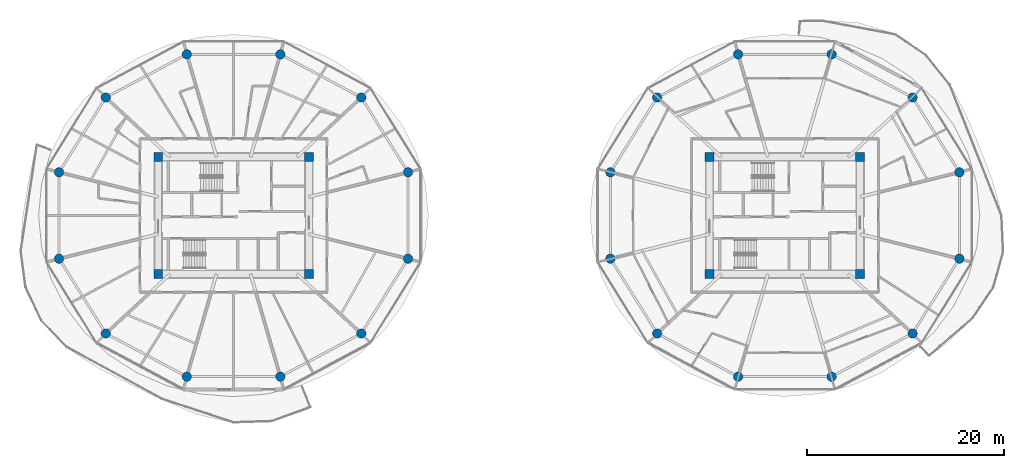
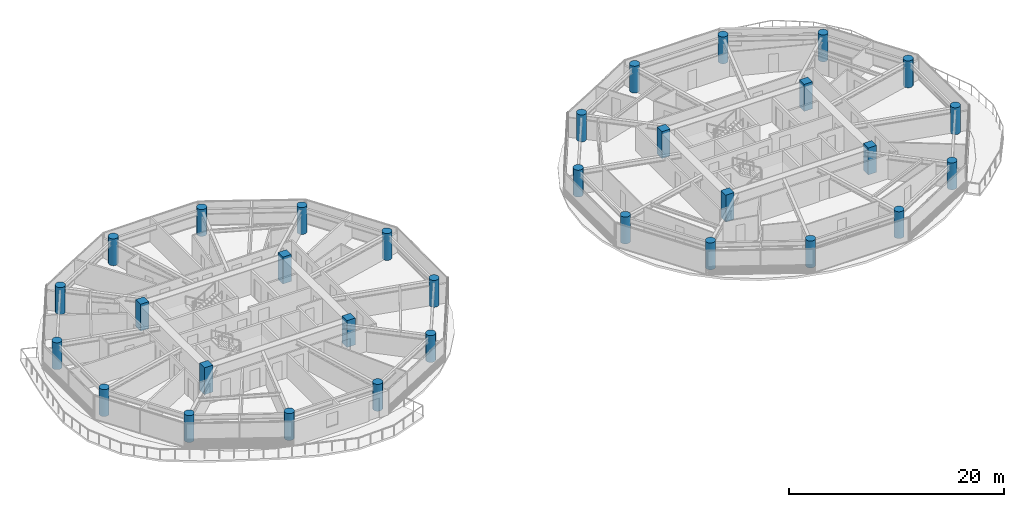
# One storey, part 1 of 27: 32 columns.
"""IFC4 building model written with IfcOpenShell, lengths in metres."""

from ifc_helpers import new_model, si_unit, direction, frame, origin, origin_2d, place, context, subcontext, project, spatial, rectangle, circle, extrude, source, transform, mapped, material, material_profile, profile_set, type_object, type_shapes, element, save


model = new_model("IFC4")

# Units and contexts
model_context = context("Model", 3, precision=1e-05, world=origin(), true_north=direction((0.0, 1.0)))
body_context = subcontext(model_context, "Body", "Model", "MODEL_VIEW")
ifc_project = project(units=[si_unit("LENGTHUNIT", "METRE"), si_unit("AREAUNIT", "SQUARE_METRE"), si_unit("VOLUMEUNIT", "CUBIC_METRE"), si_unit("PLANEANGLEUNIT", "RADIAN"), si_unit("MASSUNIT", "GRAM", prefix="KILO")], contexts=[model_context])

# Site, building, storey
site_placement = place(None, origin())
site = spatial("IfcSite", under=ifc_project, at=site_placement, CompositionType="ELEMENT")
building_placement = place(site_placement, origin())
building = spatial("IfcBuilding", under=site, at=building_placement, Name="Norrkilde Senior Care Towers", CompositionType="ELEMENT")
storey_placement = place(building_placement, frame((0.0, 0.0, 46.0)))
storey = spatial("IfcBuildingStorey", under=building, at=storey_placement, Name="L13", CompositionType="ELEMENT", Elevation=46.0)

# Columns
ifc_material = material(Name="Concrete C60/75", Category="concrete")
ifc_material_profile_1 = material_profile(ifc_material, rectangle(XDim=0.89990234375, YDim=0.89990234375, at=origin_2d()), Name="RC COL 900x900")
ifc_profile_set_1 = profile_set([ifc_material_profile_1], Name="Concrete C60/75")
column_type_1 = type_object("IfcColumnType", Name="Column Core Corner Z1-Z2 900", PredefinedType="COLUMN", material=ifc_profile_set_1)
shared_shape_1 = source(origin(), body_context, "Body", "SweptSolid", [
    extrude(rectangle(XDim=0.89990234375, YDim=0.89990234375, at=origin_2d()), origin(), (0.0, 0.0, 1.0), 3.050048828125),
])
type_shapes(column_type_1, [shared_shape_1])
for number, where, z_axis, x_axis, name in (
    (1, (-35.64990234375, -5.949951171875, 0.0), (0.0, 0.0, 1.0), (1.0, 0.0, 0.0), "L13 Core W Corner Column 1"),
    (2, (-20.35009765625, -5.949951171875, 0.0), (0.0, 0.0, 1.0), (1.0, 0.0, 0.0), "L13 Core W Corner Column 2"),
    (3, (-20.35009765625, 5.949951171875, 0.0), (0.0, 0.0, 1.0), (1.0, 0.0, 0.0), "L13 Core W Corner Column 3"),
    (4, (-35.64990234375, 5.949951171875, 0.0), (0.0, 0.0, 1.0), (1.0, 0.0, 0.0), "L13 Core W Corner Column 4"),
    (5, (20.35009765625, -5.949951171875, 0.0), (0.0, 0.0, 1.0), (1.0, 0.0, 0.0), "L13 Core E Corner Column 1"),
    (6, (35.64990234375, -5.949951171875, 0.0), (0.0, 0.0, 1.0), (1.0, 0.0, 0.0), "L13 Core E Corner Column 2"),
    (7, (35.64990234375, 5.949951171875, 0.0), (0.0, 0.0, 1.0), (1.0, 0.0, 0.0), "L13 Core E Corner Column 3"),
    (8, (20.35009765625, 5.949951171875, 0.0), (0.0, 0.0, 1.0), (1.0, 0.0, 0.0), "L13 Core E Corner Column 4"),
):
    element("IfcColumn", number, at=place(storey_placement, frame(where, z_axis=z_axis, x_axis=x_axis)), inside=storey, type_object=column_type_1, Name=name, PredefinedType="COLUMN", context=body_context, shape_type="MappedRepresentation", body=[
        mapped(shared_shape_1, transform((0.0, 0.0, 0.0), x_axis=(1.0, 0.0, 0.0), y_axis=(0.0, 1.0, 0.0), z_axis=(0.0, 0.0, 1.0), scale=1.0)),
    ])
ifc_material_profile_2 = material_profile(ifc_material, circle(Radius=0.47509765625, at=origin_2d()), Name="RC CIR 950")
ifc_profile_set_2 = profile_set([ifc_material_profile_2], Name="Concrete C60/75")
column_type_2 = type_object("IfcColumnType", Name="Column Perimeter Z1 950", PredefinedType="COLUMN", material=ifc_profile_set_2)
shared_shape_2 = source(origin(), body_context, "Body", "SweptSolid", [
    extrude(circle(Radius=0.47509765625, at=origin_2d()), origin(), (0.0, 0.0, 1.0), 3.050048828125),
])
type_shapes(column_type_2, [shared_shape_2])
for number, where, z_axis, x_axis, name in (
    (9, (-10.275146484375, 4.386962890625, 0.0), (0.0, 0.0, 1.0), (1.0, 0.0, 0.0), "L13 Drum W Perimeter Column 01"),
    (10, (-15.024658203125, 11.9853515625, 0.0), (0.0, 0.0, 1.0), (1.0, 0.0, 0.0), "L13 Drum W Perimeter Column 02"),
    (11, (-23.250732421875, 16.37255859375, 0.0), (0.0, 0.0, 1.0), (1.0, 0.0, 0.0), "L13 Drum W Perimeter Column 03"),
    (12, (-32.749267578125, 16.37255859375, 0.0), (0.0, 0.0, 1.0), (1.0, 0.0, 0.0), "L13 Drum W Perimeter Column 04"),
    (13, (-40.975341796875, 11.9853515625, 0.0), (0.0, 0.0, 1.0), (1.0, 0.0, 0.0), "L13 Drum W Perimeter Column 05"),
    (14, (-45.724853515625, 4.386962890625, 0.0), (0.0, 0.0, 1.0), (1.0, 0.0, 0.0), "L13 Drum W Perimeter Column 06"),
    (15, (-45.724853515625, -4.386962890625, 0.0), (0.0, 0.0, 1.0), (1.0, 0.0, 0.0), "L13 Drum W Perimeter Column 07"),
    (16, (-40.975341796875, -11.9853515625, 0.0), (0.0, 0.0, 1.0), (1.0, 0.0, 0.0), "L13 Drum W Perimeter Column 08"),
    (17, (-32.749267578125, -16.37255859375, 0.0), (0.0, 0.0, 1.0), (1.0, 0.0, 0.0), "L13 Drum W Perimeter Column 09"),
    (18, (-23.250732421875, -16.37255859375, 0.0), (0.0, 0.0, 1.0), (1.0, 0.0, 0.0), "L13 Drum W Perimeter Column 10"),
    (19, (-15.024658203125, -11.9853515625, 0.0), (0.0, 0.0, 1.0), (1.0, 0.0, 0.0), "L13 Drum W Perimeter Column 11"),
    (20, (-10.275146484375, -4.386962890625, 0.0), (0.0, 0.0, 1.0), (1.0, 0.0, 0.0), "L13 Drum W Perimeter Column 12"),
    (21, (45.724853515625, 4.386962890625, 0.0), (0.0, 0.0, 1.0), (1.0, 0.0, 0.0), "L13 Drum E Perimeter Column 01"),
    (22, (40.975341796875, 11.9853515625, 0.0), (0.0, 0.0, 1.0), (1.0, 0.0, 0.0), "L13 Drum E Perimeter Column 02"),
    (23, (32.749267578125, 16.37255859375, 0.0), (0.0, 0.0, 1.0), (1.0, 0.0, 0.0), "L13 Drum E Perimeter Column 03"),
    (24, (23.250732421875, 16.37255859375, 0.0), (0.0, 0.0, 1.0), (1.0, 0.0, 0.0), "L13 Drum E Perimeter Column 04"),
    (25, (15.024658203125, 11.9853515625, 0.0), (0.0, 0.0, 1.0), (1.0, 0.0, 0.0), "L13 Drum E Perimeter Column 05"),
    (26, (10.275146484375, 4.386962890625, 0.0), (0.0, 0.0, 1.0), (1.0, 0.0, 0.0), "L13 Drum E Perimeter Column 06"),
    (27, (10.275146484375, -4.386962890625, 0.0), (0.0, 0.0, 1.0), (1.0, 0.0, 0.0), "L13 Drum E Perimeter Column 07"),
    (28, (15.024658203125, -11.9853515625, 0.0), (0.0, 0.0, 1.0), (1.0, 0.0, 0.0), "L13 Drum E Perimeter Column 08"),
    (29, (23.250732421875, -16.37255859375, 0.0), (0.0, 0.0, 1.0), (1.0, 0.0, 0.0), "L13 Drum E Perimeter Column 09"),
    (30, (32.749267578125, -16.37255859375, 0.0), (0.0, 0.0, 1.0), (1.0, 0.0, 0.0), "L13 Drum E Perimeter Column 10"),
    (31, (40.975341796875, -11.9853515625, 0.0), (0.0, 0.0, 1.0), (1.0, 0.0, 0.0), "L13 Drum E Perimeter Column 11"),
    (32, (45.724853515625, -4.386962890625, 0.0), (0.0, 0.0, 1.0), (1.0, 0.0, 0.0), "L13 Drum E Perimeter Column 12"),
):
    element("IfcColumn", number, at=place(storey_placement, frame(where, z_axis=z_axis, x_axis=x_axis)), inside=storey, type_object=column_type_2, Name=name, PredefinedType="COLUMN", context=body_context, shape_type="MappedRepresentation", body=[
        mapped(shared_shape_2, transform((0.0, 0.0, 0.0), x_axis=(1.0, 0.0, 0.0), y_axis=(0.0, 1.0, 0.0), z_axis=(0.0, 0.0, 1.0), scale=1.0)),
    ])

save(model, "model.ifc")
